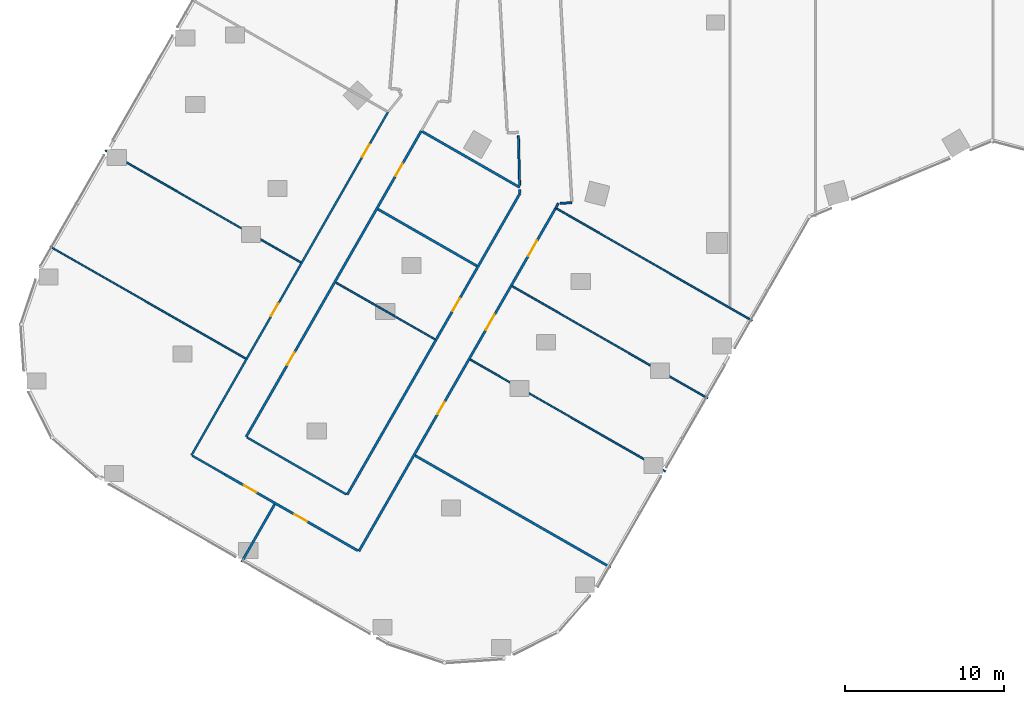
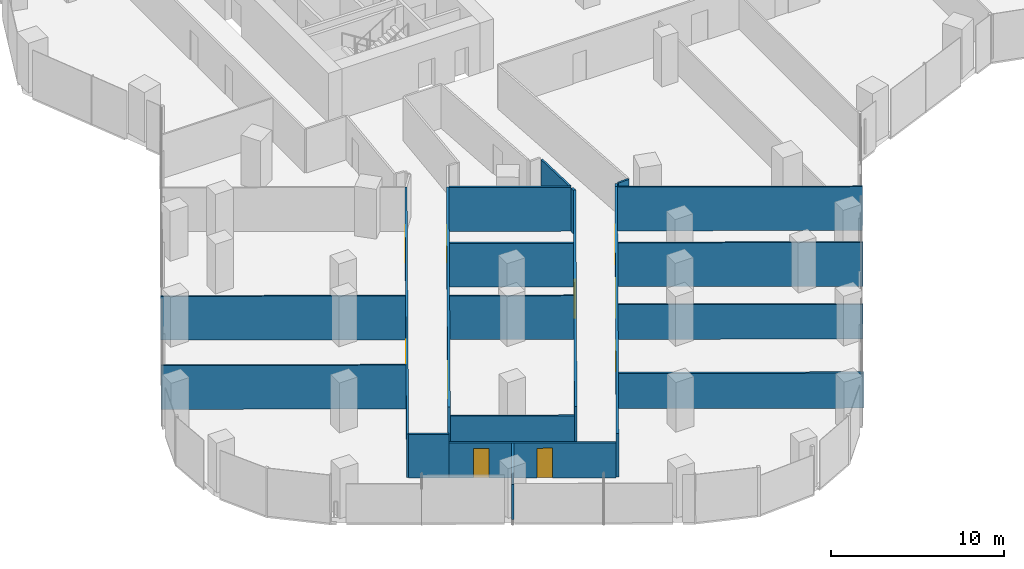
# One storey, part 26 of 35: 21 walls, 10 doors, 10 openings.
"""IFC4 building model written with IfcOpenShell, lengths in metres."""

from ifc_helpers import new_model, si_unit, direction, frame, frame_2d, origin, place, context, subcontext, project, spatial, rectangle, extrude, material, layer, layer_set, type_object, element, fill, save


model = new_model("IFC4")

# Units and contexts
model_context = context("Model", 3, precision=1e-05, world=origin(), true_north=direction((0.0, 1.0)))
body_context = subcontext(model_context, "Body", "Model", "MODEL_VIEW")
ifc_project = project(units=[si_unit("LENGTHUNIT", "METRE"), si_unit("AREAUNIT", "SQUARE_METRE"), si_unit("VOLUMEUNIT", "CUBIC_METRE"), si_unit("PLANEANGLEUNIT", "RADIAN"), si_unit("MASSUNIT", "GRAM", prefix="KILO")], contexts=[model_context])

# Site, building, storey
site_placement = place(None, origin())
site = spatial("IfcSite", under=ifc_project, at=site_placement, CompositionType="ELEMENT")
building_placement = place(site_placement, origin())
building = spatial("IfcBuilding", under=site, at=building_placement, Name="Orlundy Tower", CompositionType="ELEMENT")
storey_placement = place(building_placement, frame((0.0, 0.0, 116.199951171875)))
storey = spatial("IfcBuildingStorey", under=building, at=storey_placement, Name="L29", CompositionType="ELEMENT", Elevation=116.199951171875)

# Walls
ifc_material_1 = material(Name="Gypsum board partition")
ifc_layer_1 = layer(ifc_material_1, 0.10009765625)
ifc_layer_set_1 = layer_set([ifc_layer_1], Name="Floor partition 100")
wall_type_1 = type_object("IfcWallType", Name="Floor partition 100", PredefinedType="PARTITIONING", material=ifc_layer_set_1)
wall_1_placement = place(storey_placement, frame((-41.722900390625, -32.050048828125, 0.0), z_axis=(0.0, 0.0, 1.0), x_axis=(0.867815443194, -0.49688666369, 0.0)))
element("IfcWall", 1, at=wall_1_placement, inside=storey, type_object=wall_type_1, Name="wall-int-L29-014", PredefinedType="PARTITIONING", context=body_context, shape_type="SweptSolid", body=[
    extrude(rectangle(XDim=14.1318359375, YDim=0.10009765625, at=frame_2d((7.06591796875, 0.0))), origin(), (0.0, 0.0, 1.0), 3.080078125),
])
wall_2_placement = place(storey_placement, frame((-38.260986328125, -26.012939453125, 0.0), z_axis=(0.0, 0.0, 1.0), x_axis=(0.867471065007, -0.49748763942, 0.0)))
element("IfcWall", 2, at=wall_2_placement, inside=storey, type_object=wall_type_1, Name="wall-int-L29-016", PredefinedType="PARTITIONING", context=body_context, shape_type="SweptSolid", body=[
    extrude(rectangle(XDim=14.127197265625, YDim=0.10009765625, at=frame_2d((7.0634765625, 0.0))), origin(), (0.0, 0.0, 1.0), 3.080078125),
])
wall_3_placement = place(storey_placement, frame((-23.803955078125, -34.303955078125, 0.0), z_axis=(0.0, 0.0, 1.0), x_axis=(0.867490790569, -0.497453242304, 0.0)))
element("IfcWall", 3, at=wall_3_placement, inside=storey, type_object=wall_type_1, Name="wall-int-L29-017", PredefinedType="PARTITIONING", context=body_context, shape_type="SweptSolid", body=[
    extrude(rectangle(XDim=7.158447265625, YDim=0.10009765625, at=frame_2d((3.5791015625, 0.0))), origin(), (0.0, 0.0, 1.0), 3.080078125),
])
wall_4_placement = place(storey_placement, frame((-12.7451171875, -34.535888671875, 0.0), z_axis=(0.0, 0.0, 1.0), x_axis=(0.867470957273, -0.497487827277, 0.0)))
element("IfcWall", 4, at=wall_4_placement, inside=storey, type_object=wall_type_1, Name="wall-int-L29-020", PredefinedType="PARTITIONING", context=body_context, shape_type="SweptSolid", body=[
    extrude(rectangle(XDim=14.125244140625, YDim=0.10009765625, at=frame_2d((7.0625, 0.0))), origin(), (0.0, 0.0, 1.0), 3.080078125),
])
wall_5_placement = place(storey_placement, frame((-9.9560546875, -29.673095703125, 0.0), z_axis=(0.0, 0.0, 1.0), x_axis=(0.867525357275, -0.497392957816, 0.0)))
element("IfcWall", 5, at=wall_5_placement, inside=storey, type_object=wall_type_1, Name="wall-int-L29-023", PredefinedType="PARTITIONING", context=body_context, shape_type="SweptSolid", body=[
    extrude(rectangle(XDim=14.12548828125, YDim=0.10009765625, at=frame_2d((7.062744140625, 0.0))), origin(), (0.0, 0.0, 1.0), 3.080078125),
])
ifc_material_2 = material(Name="Gypsum board partition")
ifc_layer_2 = layer(ifc_material_2, 0.10009765625)
ifc_layer_set_2 = layer_set([ifc_layer_2], Name="Floor partition 100 B")
wall_type_2 = type_object("IfcWallType", Name="Floor partition 100 B", PredefinedType="PARTITIONING", material=ifc_layer_set_2)
wall_6_placement = place(storey_placement, frame((-15.382080078125, -39.134033203125, 0.0), z_axis=(0.0, 0.0, 1.0), x_axis=(0.867495524847, -0.497444986276, 0.0)))
element("IfcWall", 6, at=wall_6_placement, inside=storey, type_object=wall_type_2, Name="wall-int-L29-018", PredefinedType="PARTITIONING", context=body_context, shape_type="SweptSolid", body=[
    extrude(rectangle(XDim=14.1259765625, YDim=0.10009765625, at=frame_2d((7.06298828125, 0.0))), origin(), (0.0, 0.0, 1.0), 2.445068359375),
])
ifc_material_3 = material(Name="Gypsum board partition, double layer")
ifc_layer_3 = layer(ifc_material_3, 0.125)
ifc_layer_set_3 = layer_set([ifc_layer_3], Name="Floor partition 125")
wall_type_3 = type_object("IfcWallType", Name="Floor partition 125", PredefinedType="PARTITIONING", material=ifc_layer_set_3)
wall_7_placement = place(storey_placement, frame((-12.35693359375, -25.112060546875, 0.0), z_axis=(0.0, 0.0, 1.0), x_axis=(0.024154763652, -0.999708231132, 0.0)))
element("IfcWall", 7, at=wall_7_placement, inside=storey, type_object=wall_type_3, Name="wall-int-L29-002", PredefinedType="PARTITIONING", context=body_context, shape_type="SweptSolid", body=[
    extrude(rectangle(XDim=3.10302734375, YDim=0.125, at=frame_2d((1.551513671875, 0.0))), origin(), (0.0, 0.0, 1.0), 3.080078125),
])
wall_8_placement = place(storey_placement, frame((-32.804931640625, -45.1669921875, 0.0), z_axis=(0.0, 0.0, 1.0), x_axis=(0.867850650995, -0.496825168009, 0.0)))
element("IfcWall", 8, at=wall_8_placement, inside=storey, type_object=wall_type_3, Name="wall-int-L29-011", PredefinedType="PARTITIONING", context=body_context, shape_type="SweptSolid", body=[
    extrude(rectangle(XDim=2.336669921875, YDim=0.125, at=frame_2d((1.16845703125, 0.0))), origin(), (0.0, 0.0, 1.0), 3.080078125),
])
wall_9_placement = place(storey_placement, frame((-9.739013671875, -29.339111328125, 0.0), z_axis=(0.0, 0.0, 1.0), x_axis=(0.998594861221, 0.052993425471, 0.0)))
element("IfcWall", 9, at=wall_9_placement, inside=storey, type_object=wall_type_3, Name="wall-int-L29-047", PredefinedType="PARTITIONING", context=body_context, shape_type="SweptSolid", body=[
    extrude(rectangle(XDim=0.737060546875, YDim=0.125, at=frame_2d((0.36865234375, 0.0))), origin(), (0.0, 0.0, 1.0), 3.080078125),
])
wall_10_placement = place(storey_placement, frame((-10.02099609375, -29.635986328125, 0.0), z_axis=(0.0, 0.0, 1.0), x_axis=(0.497705353429, 0.867346171473, 0.0)))
element("IfcWall", 10, at=wall_10_placement, inside=storey, type_object=wall_type_3, Name="wall-int-L29-055", PredefinedType="PARTITIONING", context=body_context, shape_type="SweptSolid", body=[
    extrude(rectangle(XDim=0.33544921875, YDim=0.125, at=frame_2d((0.167724609375, 0.0))), origin(), (0.0, 0.0, 1.0), 3.080078125),
])

# Wall, openings, doors
wall_11_placement = place(storey_placement, frame((-32.85888671875, -45.135986328125, 0.0), z_axis=(0.0, 0.0, 1.0), x_axis=(0.49685627334, 0.867832843146, 0.0)))
wall_11 = element("IfcWall", 11, at=wall_11_placement, inside=storey, type_object=wall_type_3, Name="wall-int-L29-061", PredefinedType="PARTITIONING", context=body_context, shape_type="SweptSolid", body=[
    extrude(rectangle(XDim=24.807861328125, YDim=0.125, at=frame_2d((12.40380859375, 0.0))), origin(), (0.0, 0.0, 1.0), 3.080078125),
])
opening_1_placement = place(wall_11_placement, frame((10.0517578125, 0.0, 0.0)))
opening_1 = element("IfcOpeningElement", 12, at=opening_1_placement, cuts=wall_11, Name="Opening 22114", PredefinedType="OPENING", context=body_context, shape_type="SweptSolid", body=[
    extrude(rectangle(XDim=0.89990234375, YDim=2.10009765625, at=frame_2d((0.449951171875, 1.050048828125))), frame((0.0, 0.072509765625, 0.0), z_axis=(0.0, -1.0, 0.0), x_axis=(1.0, 0.0, 0.0)), (0.0, 0.0, 1.0), 0.14501953125),
])
opening_2_placement = place(wall_11_placement, frame((21.55078125, 0.0, 0.0)))
opening_2 = element("IfcOpeningElement", 13, at=opening_2_placement, cuts=wall_11, Name="Opening 22118", PredefinedType="OPENING", context=body_context, shape_type="SweptSolid", body=[
    extrude(rectangle(XDim=0.89990234375, YDim=2.10009765625, at=frame_2d((0.449951171875, 1.050048828125))), frame((0.0, 0.072509765625, 0.0), z_axis=(0.0, -1.0, 0.0), x_axis=(1.0, 0.0, 0.0)), (0.0, 0.0, 1.0), 0.14501953125),
])
ifc_material_4 = material(Name="Timber door leaf", Category="wood")
door_type_1 = type_object("IfcDoorType", Name="Floor door single 900 FD30S", OperationType="NOTDEFINED", PredefinedType="DOOR", material=ifc_material_4)
door_1_placement = place(opening_1_placement, origin())
door_1 = element("IfcDoor", 14, at=door_1_placement, inside=storey, type_object=door_type_1, Name="Door 22114", OperationType="SINGLE_SWING_LEFT", OverallHeight=2.10009765625, OverallWidth=0.89990234375, PredefinedType="DOOR", context=body_context, shape_type="SweptSolid", body=[
    extrude(rectangle(XDim=0.89990234375, YDim=2.10009765625, at=frame_2d((0.449951171875, 1.050048828125))), frame((0.0, 0.02490234375, 0.0), z_axis=(0.0, -1.0, 0.0), x_axis=(1.0, 0.0, 0.0)), (0.0, 0.0, 1.0), 0.050048828125),
])
fill(opening_1, door_1)
door_2_placement = place(opening_2_placement, origin())
door_2 = element("IfcDoor", 15, at=door_2_placement, inside=storey, type_object=door_type_1, Name="Door 22118", OperationType="SINGLE_SWING_RIGHT", OverallHeight=2.10009765625, OverallWidth=0.89990234375, PredefinedType="DOOR", context=body_context, shape_type="SweptSolid", body=[
    extrude(rectangle(XDim=0.89990234375, YDim=2.10009765625, at=frame_2d((0.449951171875, 1.050048828125))), frame((0.0, 0.02490234375, 0.0), z_axis=(0.0, -1.0, 0.0), x_axis=(1.0, 0.0, 0.0)), (0.0, 0.0, 1.0), 0.050048828125),
])
fill(opening_2, door_2)

# Walls
ifc_material_5 = material(Name="Gypsum board partition, double layer")
ifc_layer_4 = layer(ifc_material_5, 0.125)
ifc_layer_set_4 = layer_set([ifc_layer_4], Name="Floor partition 125 B")
wall_type_4 = type_object("IfcWallType", Name="Floor partition 125 B", PredefinedType="PARTITIONING", material=ifc_layer_set_4)
wall_12_placement = place(storey_placement, frame((-29.368896484375, -44.02294921875, 0.0), z_axis=(0.0, 0.0, 1.0), x_axis=(0.867422571977, -0.49757218735, 0.0)))
element("IfcWall", 16, at=wall_12_placement, inside=storey, type_object=wall_type_4, Name="wall-int-L29-013", PredefinedType="PARTITIONING", context=body_context, shape_type="SweptSolid", body=[
    extrude(rectangle(XDim=7.15087890625, YDim=0.125, at=frame_2d((3.575439453125, 0.0))), origin(), (0.0, 0.0, 1.0), 2.468994140625),
])
ifc_material_6 = material(Name="Blockwork shaft wall", Category="masonry")
ifc_layer_5 = layer(ifc_material_6, 0.14990234375)
ifc_layer_set_5 = layer_set([ifc_layer_5], Name="Floor shaft wall 150")
wall_type_5 = type_object("IfcWallType", Name="Floor shaft wall 150", PredefinedType="PARTITIONING", material=ifc_layer_set_5)
wall_13_placement = place(storey_placement, frame((-12.27587890625, -28.472900390625, 0.0), z_axis=(0.0, 0.0, 1.0), x_axis=(0.022614384817, -0.999744262099, 0.0)))
element("IfcWall", 17, at=wall_13_placement, inside=storey, type_object=wall_type_5, Name="wall-int-L29-001", PredefinedType="PARTITIONING", context=body_context, shape_type="SweptSolid", body=[
    extrude(rectangle(XDim=0.259033203125, YDim=0.14990234375, at=frame_2d((0.12939453125, 0.0))), origin(), (0.0, 0.0, 1.0), 3.080078125),
])
wall_14_placement = place(storey_placement, frame((-21.169921875, -29.705078125, 0.0), z_axis=(0.0, 0.0, 1.0), x_axis=(0.86744058168, -0.497540789539, 0.0)))
element("IfcWall", 18, at=wall_14_placement, inside=storey, type_object=wall_type_5, Name="wall-int-L29-019", PredefinedType="PARTITIONING", context=body_context, shape_type="SweptSolid", body=[
    extrude(rectangle(XDim=7.1611328125, YDim=0.14990234375, at=frame_2d((3.58056640625, 0.0))), origin(), (0.0, 0.0, 1.0), 3.080078125),
])
wall_15_placement = place(storey_placement, frame((-18.384033203125, -24.839111328125, 0.0), z_axis=(0.0, 0.0, 1.0), x_axis=(0.867482124602, -0.497468354266, 0.0)))
element("IfcWall", 19, at=wall_15_placement, inside=storey, type_object=wall_type_5, Name="wall-int-L29-022", PredefinedType="PARTITIONING", context=body_context, shape_type="SweptSolid", body=[
    extrude(rectangle(XDim=7.03759765625, YDim=0.14990234375, at=frame_2d((3.518798828125, 0.0))), origin(), (0.0, 0.0, 1.0), 3.080078125),
])

# Wall, openings, doors
wall_16_placement = place(storey_placement, frame((-10.02099609375, -29.635986328125, 0.0), z_axis=(0.0, 0.0, 1.0), x_axis=(-0.49746005822, -0.867486882019, 0.0)))
wall_16 = element("IfcWall", 20, at=wall_16_placement, inside=storey, type_object=wall_type_5, Name="wall-int-L29-056", PredefinedType="PARTITIONING", context=body_context, shape_type="SweptSolid", body=[
    extrude(rectangle(XDim=24.80615234375, YDim=0.14990234375, at=frame_2d((12.403076171875, 0.0))), origin(), (0.0, 0.0, 1.0), 3.080078125),
])
opening_3_placement = place(wall_16_placement, frame((2.35009765625, 0.0, 0.0)))
opening_3 = element("IfcOpeningElement", 21, at=opening_3_placement, cuts=wall_16, Name="Opening 22109", PredefinedType="OPENING", context=body_context, shape_type="SweptSolid", body=[
    extrude(rectangle(XDim=1.10009765625, YDim=2.10009765625, at=frame_2d((0.550048828125, 1.050048828125))), frame((0.0, 0.0849609375, 0.0), z_axis=(0.0, -1.0, 0.0), x_axis=(1.0, 0.0, 0.0)), (0.0, 0.0, 1.0), 0.169921875),
])
opening_4_placement = place(wall_16_placement, frame((7.706298828125, 0.0, 0.0)))
opening_4 = element("IfcOpeningElement", 22, at=opening_4_placement, cuts=wall_16, Name="Opening 22110", PredefinedType="OPENING", context=body_context, shape_type="SweptSolid", body=[
    extrude(rectangle(XDim=1.10009765625, YDim=2.10009765625, at=frame_2d((0.550048828125, 1.050048828125))), frame((0.0, 0.0849609375, 0.0), z_axis=(0.0, -1.0, 0.0), x_axis=(1.0, 0.0, 0.0)), (0.0, 0.0, 1.0), 0.169921875),
])
opening_5_placement = place(wall_16_placement, frame((14.006591796875, 0.0, 0.0)))
opening_5 = element("IfcOpeningElement", 23, at=opening_5_placement, cuts=wall_16, Name="Opening 22113", PredefinedType="OPENING", context=body_context, shape_type="SweptSolid", body=[
    extrude(rectangle(XDim=0.89990234375, YDim=2.10009765625, at=frame_2d((0.449951171875, 1.050048828125))), frame((0.0, 0.0849609375, 0.0), z_axis=(0.0, -1.0, 0.0), x_axis=(1.0, 0.0, 0.0)), (0.0, 0.0, 1.0), 0.169921875),
])
ifc_material_7 = material(Name="Timber door leaf", Category="wood")
door_type_2 = type_object("IfcDoorType", Name="Floor door single 900 FD60", OperationType="NOTDEFINED", PredefinedType="DOOR", material=ifc_material_7)
door_3_placement = place(opening_5_placement, origin())
door_3 = element("IfcDoor", 24, at=door_3_placement, inside=storey, type_object=door_type_2, Name="Door 22113", OperationType="SINGLE_SWING_RIGHT", OverallHeight=2.10009765625, OverallWidth=0.89990234375, PredefinedType="DOOR", context=body_context, shape_type="SweptSolid", body=[
    extrude(rectangle(XDim=0.89990234375, YDim=2.10009765625, at=frame_2d((0.449951171875, 1.050048828125))), frame((0.0, 0.02490234375, 0.0), z_axis=(0.0, -1.0, 0.0), x_axis=(1.0, 0.0, 0.0)), (0.0, 0.0, 1.0), 0.050048828125),
])
fill(opening_5, door_3)
ifc_material_8 = material(Name="Timber door leaf", Category="wood")
door_type_3 = type_object("IfcDoorType", Name="Floor door xwide 1100 FD60", OperationType="NOTDEFINED", PredefinedType="DOOR", material=ifc_material_8)
door_4_placement = place(opening_3_placement, origin())
door_4 = element("IfcDoor", 25, at=door_4_placement, inside=storey, type_object=door_type_3, Name="Door 22109", OperationType="SINGLE_SWING_LEFT", OverallHeight=2.10009765625, OverallWidth=1.10009765625, PredefinedType="DOOR", context=body_context, shape_type="SweptSolid", body=[
    extrude(rectangle(XDim=1.10009765625, YDim=2.10009765625, at=frame_2d((0.550048828125, 1.050048828125))), frame((0.0, 0.02490234375, 0.0), z_axis=(0.0, -1.0, 0.0), x_axis=(1.0, 0.0, 0.0)), (0.0, 0.0, 1.0), 0.050048828125),
])
fill(opening_3, door_4)
door_5_placement = place(opening_4_placement, origin())
door_5 = element("IfcDoor", 26, at=door_5_placement, inside=storey, type_object=door_type_3, Name="Door 22110", OperationType="SINGLE_SWING_LEFT", OverallHeight=2.10009765625, OverallWidth=1.10009765625, PredefinedType="DOOR", context=body_context, shape_type="SweptSolid", body=[
    extrude(rectangle(XDim=1.10009765625, YDim=2.10009765625, at=frame_2d((0.550048828125, 1.050048828125))), frame((0.0, 0.02490234375, 0.0), z_axis=(0.0, -1.0, 0.0), x_axis=(1.0, 0.0, 0.0)), (0.0, 0.0, 1.0), 0.050048828125),
])
fill(opening_4, door_5)

# Wall, opening, door
wall_17_placement = place(storey_placement, frame((-23.10107421875, -47.617919921875, 0.0), z_axis=(0.0, 0.0, 1.0), x_axis=(0.497490898243, 0.86746919609, 0.0)))
wall_17 = element("IfcWall", 27, at=wall_17_placement, inside=storey, type_object=wall_type_5, Name="wall-int-L29-057", PredefinedType="PARTITIONING", context=body_context, shape_type="SweptSolid", body=[
    extrude(rectangle(XDim=21.771484375, YDim=0.14990234375, at=frame_2d((10.8857421875, 0.0))), origin(), (0.0, 0.0, 1.0), 3.080078125),
])
opening_6_placement = place(wall_17_placement, frame((13.30029296875, 0.0, 0.0)))
opening_6 = element("IfcOpeningElement", 28, at=opening_6_placement, cuts=wall_17, Name="Opening 22112", PredefinedType="OPENING", context=body_context, shape_type="SweptSolid", body=[
    extrude(rectangle(XDim=0.89990234375, YDim=2.10009765625, at=frame_2d((0.449951171875, 1.050048828125))), frame((0.0, 0.0849609375, 0.0), z_axis=(0.0, -1.0, 0.0), x_axis=(1.0, 0.0, 0.0)), (0.0, 0.0, 1.0), 0.169921875),
])
door_6_placement = place(opening_6_placement, origin())
door_6 = element("IfcDoor", 29, at=door_6_placement, inside=storey, type_object=door_type_2, Name="Door 22112", OperationType="SINGLE_SWING_RIGHT", OverallHeight=2.10009765625, OverallWidth=0.89990234375, PredefinedType="DOOR", context=body_context, shape_type="SweptSolid", body=[
    extrude(rectangle(XDim=0.89990234375, YDim=2.10009765625, at=frame_2d((0.449951171875, 1.050048828125))), frame((0.0, 0.02490234375, 0.0), z_axis=(0.0, -1.0, 0.0), x_axis=(1.0, 0.0, 0.0)), (0.0, 0.0, 1.0), 0.050048828125),
])
fill(opening_6, door_6)

# Wall, openings, doors
wall_18_placement = place(storey_placement, frame((-18.448974609375, -24.802001953125, 0.0), z_axis=(0.0, 0.0, 1.0), x_axis=(-0.496915373234, -0.867799004288, 0.0)))
wall_18 = element("IfcWall", 30, at=wall_18_placement, inside=storey, type_object=wall_type_5, Name="wall-int-L29-059", PredefinedType="PARTITIONING", context=body_context, shape_type="SweptSolid", body=[
    extrude(rectangle(XDim=22.106689453125, YDim=0.14990234375, at=frame_2d((11.05322265625, 0.0))), origin(), (0.0, 0.0, 1.0), 3.080078125),
])
opening_7_placement = place(wall_18_placement, frame((2.35009765625, 0.0, 0.0)))
opening_7 = element("IfcOpeningElement", 31, at=opening_7_placement, cuts=wall_18, Name="Opening 22111", PredefinedType="OPENING", context=body_context, shape_type="SweptSolid", body=[
    extrude(rectangle(XDim=0.89990234375, YDim=2.10009765625, at=frame_2d((0.449951171875, 1.050048828125))), frame((0.0, 0.0849609375, 0.0), z_axis=(0.0, -1.0, 0.0), x_axis=(1.0, 0.0, 0.0)), (0.0, 0.0, 1.0), 0.169921875),
])
opening_8_placement = place(wall_18_placement, frame((16.007080078125, 0.0, 0.0)))
opening_8 = element("IfcOpeningElement", 32, at=opening_8_placement, cuts=wall_18, Name="Opening 22115", PredefinedType="OPENING", context=body_context, shape_type="SweptSolid", body=[
    extrude(rectangle(XDim=0.89990234375, YDim=2.10009765625, at=frame_2d((0.449951171875, 1.050048828125))), frame((0.0, 0.0849609375, 0.0), z_axis=(0.0, -1.0, 0.0), x_axis=(1.0, 0.0, 0.0)), (0.0, 0.0, 1.0), 0.169921875),
])
door_7_placement = place(opening_7_placement, origin())
door_7 = element("IfcDoor", 33, at=door_7_placement, inside=storey, type_object=door_type_2, Name="Door 22111", OperationType="SINGLE_SWING_LEFT", OverallHeight=2.10009765625, OverallWidth=0.89990234375, PredefinedType="DOOR", context=body_context, shape_type="SweptSolid", body=[
    extrude(rectangle(XDim=0.89990234375, YDim=2.10009765625, at=frame_2d((0.449951171875, 1.050048828125))), frame((0.0, 0.02490234375, 0.0), z_axis=(0.0, -1.0, 0.0), x_axis=(1.0, 0.0, 0.0)), (0.0, 0.0, 1.0), 0.050048828125),
])
fill(opening_7, door_7)
door_8_placement = place(opening_8_placement, origin())
door_8 = element("IfcDoor", 34, at=door_8_placement, inside=storey, type_object=door_type_2, Name="Door 22115", OperationType="SINGLE_SWING_RIGHT", OverallHeight=2.10009765625, OverallWidth=0.89990234375, PredefinedType="DOOR", context=body_context, shape_type="SweptSolid", body=[
    extrude(rectangle(XDim=0.89990234375, YDim=2.10009765625, at=frame_2d((0.449951171875, 1.050048828125))), frame((0.0, 0.02490234375, 0.0), z_axis=(0.0, -1.0, 0.0), x_axis=(1.0, 0.0, 0.0)), (0.0, 0.0, 1.0), 0.050048828125),
])
fill(opening_8, door_8)

ifc_material_9 = material(Name="Blockwork shaft wall", Category="masonry")
ifc_layer_6 = layer(ifc_material_9, 0.14990234375)
ifc_layer_set_6 = layer_set([ifc_layer_6], Name="Floor shaft wall 150 B")
wall_type_6 = type_object("IfcWallType", Name="Floor shaft wall 150 B", PredefinedType="PARTITIONING", material=ifc_layer_set_6)
wall_19_placement = place(storey_placement, frame((-22.427978515625, -51.116943359375, 0.0), z_axis=(0.0, 0.0, 1.0), x_axis=(-0.867485037489, 0.497463274758, 0.0)))
wall_19 = element("IfcWall", 35, at=wall_19_placement, inside=storey, type_object=wall_type_6, Name="wall-int-L29-012", PredefinedType="PARTITIONING", context=body_context, shape_type="SweptSolid", body=[
    extrude(rectangle(XDim=9.62451171875, YDim=0.14990234375, at=frame_2d((4.812255859375, 0.0))), origin(), (0.0, 0.0, 1.0), 2.468994140625),
])
opening_9_placement = place(wall_19_placement, frame((3.674560546875, 0.0, 0.0)))
opening_9 = element("IfcOpeningElement", 36, at=opening_9_placement, cuts=wall_19, Name="Opening 22116", PredefinedType="OPENING", context=body_context, shape_type="SweptSolid", body=[
    extrude(rectangle(XDim=0.89990234375, YDim=2.10009765625, at=frame_2d((0.449951171875, 1.050048828125))), frame((0.0, 0.0849609375, 0.0), z_axis=(0.0, -1.0, 0.0), x_axis=(1.0, 0.0, 0.0)), (0.0, 0.0, 1.0), 0.169921875),
])
opening_10_placement = place(wall_19_placement, frame((7.32080078125, 0.0, 0.0)))
opening_10 = element("IfcOpeningElement", 37, at=opening_10_placement, cuts=wall_19, Name="Opening 22117", PredefinedType="OPENING", context=body_context, shape_type="SweptSolid", body=[
    extrude(rectangle(XDim=0.89990234375, YDim=2.10009765625, at=frame_2d((0.449951171875, 1.050048828125))), frame((0.0, 0.0849609375, 0.0), z_axis=(0.0, -1.0, 0.0), x_axis=(1.0, 0.0, 0.0)), (0.0, 0.0, 1.0), 0.169921875),
])
door_9_placement = place(opening_9_placement, origin())
door_9 = element("IfcDoor", 38, at=door_9_placement, inside=storey, type_object=door_type_2, Name="Door 22116", OperationType="SINGLE_SWING_LEFT", OverallHeight=2.10009765625, OverallWidth=0.89990234375, PredefinedType="DOOR", context=body_context, shape_type="SweptSolid", body=[
    extrude(rectangle(XDim=0.89990234375, YDim=2.10009765625, at=frame_2d((0.449951171875, 1.050048828125))), frame((0.0, 0.02490234375, 0.0), z_axis=(0.0, -1.0, 0.0), x_axis=(1.0, 0.0, 0.0)), (0.0, 0.0, 1.0), 0.050048828125),
])
fill(opening_9, door_9)
door_10_placement = place(opening_10_placement, origin())
door_10 = element("IfcDoor", 39, at=door_10_placement, inside=storey, type_object=door_type_2, Name="Door 22117", OperationType="SINGLE_SWING_RIGHT", OverallHeight=2.10009765625, OverallWidth=0.89990234375, PredefinedType="DOOR", context=body_context, shape_type="SweptSolid", body=[
    extrude(rectangle(XDim=0.89990234375, YDim=2.10009765625, at=frame_2d((0.449951171875, 1.050048828125))), frame((0.0, 0.02490234375, 0.0), z_axis=(0.0, -1.0, 0.0), x_axis=(1.0, 0.0, 0.0)), (0.0, 0.0, 1.0), 0.050048828125),
])
fill(opening_10, door_10)

# Walls
wall_20_placement = place(storey_placement, frame((-18.833984375, -45.155029296875, 0.0), z_axis=(0.0, 0.0, 1.0), x_axis=(0.867832273934, -0.496857267552, 0.0)))
element("IfcWall", 40, at=wall_20_placement, inside=storey, type_object=wall_type_6, Name="wall-int-L29-015", PredefinedType="PARTITIONING", context=body_context, shape_type="SweptSolid", body=[
    extrude(rectangle(XDim=14.125, YDim=0.14990234375, at=frame_2d((7.0625, 0.0))), origin(), (0.0, 0.0, 1.0), 2.468994140625),
])
wall_21_placement = place(storey_placement, frame((-29.718017578125, -51.8349609375, 0.0), z_axis=(0.0, 0.0, 1.0), x_axis=(0.496800084917, 0.867865010026, 0.0)))
element("IfcWall", 41, at=wall_21_placement, inside=storey, type_object=wall_type_6, Name="wall-int-L29-058", PredefinedType="PARTITIONING", context=body_context, shape_type="SweptSolid", body=[
    extrude(rectangle(XDim=4.174560546875, YDim=0.14990234375, at=frame_2d((2.08740234375, 0.0))), origin(), (0.0, 0.0, 1.0), 2.468994140625),
])

save(model, "model.ifc")
